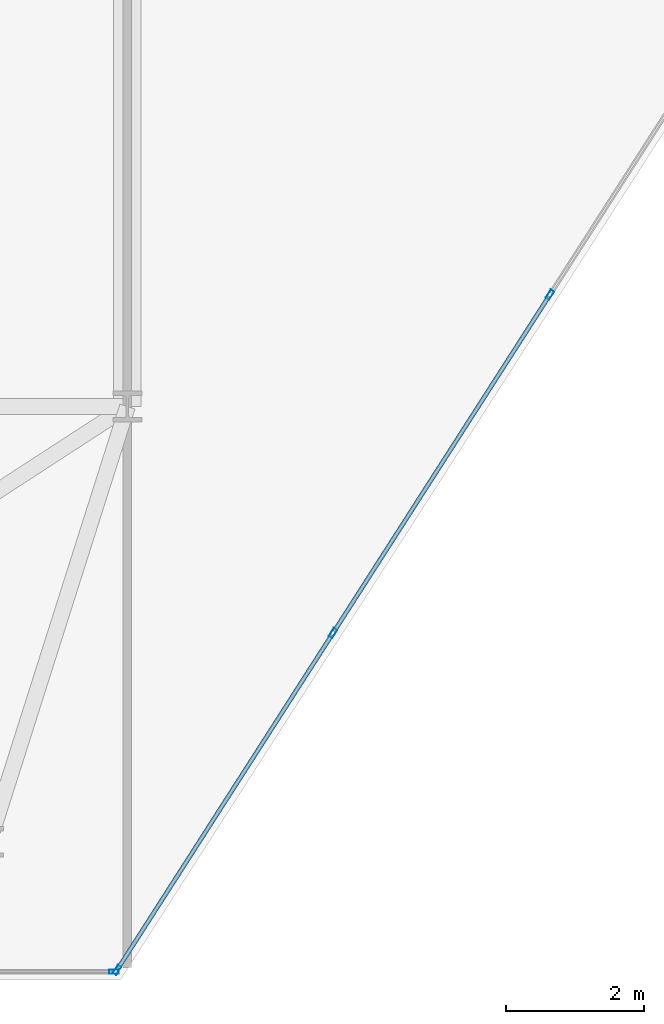
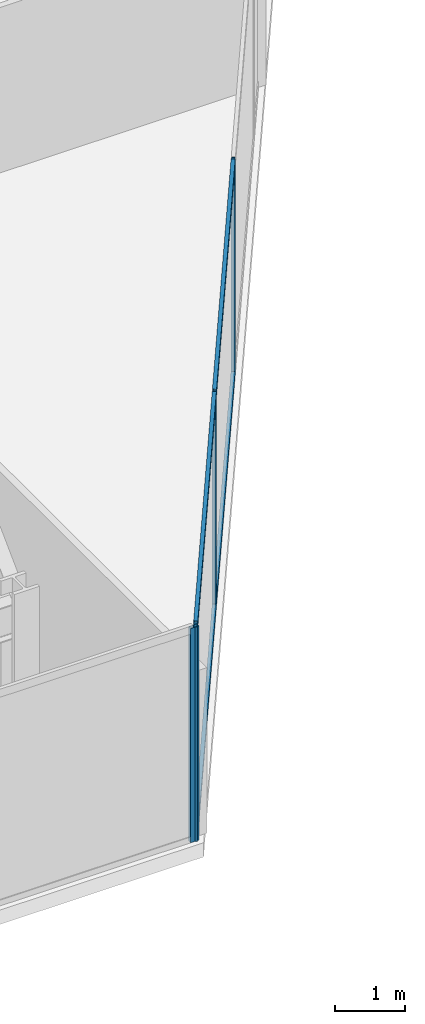
# One storey, part 7 of 26: 8 members, 2 elements without a shape of their own.
"""IFC4 building model written with IfcOpenShell, lengths in metres."""

from ifc_helpers import new_model, si_unit, direction, frame, origin, origin_2d, place, context, subcontext, project, spatial, hollow_rectangle, extrude, material, layer, layer_set, material_profile, profile_set, type_object, element, aggregate, save


model = new_model("IFC4")

# Units and contexts
model_context = context("Model", 3, precision=1e-05, world=origin(), true_north=direction((0.0, 1.0)))
body_context = subcontext(model_context, "Body", "Model", "MODEL_VIEW")
ifc_project = project(units=[si_unit("LENGTHUNIT", "METRE"), si_unit("AREAUNIT", "SQUARE_METRE"), si_unit("VOLUMEUNIT", "CUBIC_METRE"), si_unit("PLANEANGLEUNIT", "RADIAN"), si_unit("MASSUNIT", "GRAM", prefix="KILO")], contexts=[model_context])

# Site, building, storey
site_placement = place(None, origin())
site = spatial("IfcSite", under=ifc_project, at=site_placement, CompositionType="ELEMENT")
building_placement = place(site_placement, origin())
building = spatial("IfcBuilding", under=site, at=building_placement, Name="Kravanh Interchange Tower", CompositionType="ELEMENT")
storey_placement = place(building_placement, frame((0.0, 0.0, 144.0)))
storey = spatial("IfcBuildingStorey", under=building, at=storey_placement, Name="L34", CompositionType="ELEMENT", Elevation=144.0)

# Curtain wall, members
ifc_material_1 = material(Name="Anodised Bronze Aluminium", Category="aluminium")
ifc_layer = layer(ifc_material_1, 0.179931640625)
ifc_layer_set = layer_set([ifc_layer], Name="Unitised Curtain Wall System CW-Z2 Mid Office")
curtain_wall_type = type_object("IfcCurtainWallType", Name="Unitised Curtain Wall System CW-Z2 Mid Office", PredefinedType="NOTDEFINED", material=ifc_layer_set)
curtain_wall_1_placement = place(storey_placement, origin())
curtain_wall_1 = element("IfcCurtainWall", 1, at=curtain_wall_1_placement, inside=storey, type_object=curtain_wall_type, Name="L34 Unitised Curtain Wall CW-L34-05", PredefinedType="NOTDEFINED")
ifc_material_2 = material(Name="Anodised Bronze Aluminium", Category="aluminium")
ifc_material_profile_1 = material_profile(ifc_material_2, hollow_rectangle(XDim=0.06005859375, YDim=0.139892578125, WallThickness=0.00390625, at=origin_2d()), Name="ALU60X140X4")
ifc_profile_set_1 = profile_set([ifc_material_profile_1], Name="Anodised Bronze Aluminium")
member_type_1 = type_object("IfcMemberType", Name="Curtain Wall Mullion ALU60X140X4 Bronze", PredefinedType="MULLION", material=ifc_profile_set_1)
member_1_placement = place(storey_placement, frame((33.317138671875, 16.12109375, 0.0), z_axis=(0.0, 0.0, 1.0), x_axis=(0.841879939476, -0.539664865919, 0.0)))
member_1 = element("IfcMember", 2, at=member_1_placement, type_object=member_type_1, Name="CW-Z2 mullion 3", PredefinedType="MULLION", context=body_context, shape_type="SweptSolid", body=[
    extrude(hollow_rectangle(XDim=0.06005859375, YDim=0.139892578125, WallThickness=0.00390625, at=origin_2d()), origin(), (0.0, 0.0, 1.0), 3.75),
])
member_2_placement = place(storey_placement, frame((30.17578125, 11.220703125, 0.0), z_axis=(0.0, 0.0, 1.0), x_axis=(0.841879939476, -0.539664865919, 0.0)))
member_2 = element("IfcMember", 3, at=member_2_placement, type_object=member_type_1, Name="CW-Z2 mullion 4", PredefinedType="MULLION", context=body_context, shape_type="SweptSolid", body=[
    extrude(hollow_rectangle(XDim=0.06005859375, YDim=0.139892578125, WallThickness=0.00390625, at=origin_2d()), origin(), (0.0, 0.0, 1.0), 3.75),
])
member_3_placement = place(storey_placement, frame((27.050537109375, 6.34521484375, 0.0), z_axis=(0.0, 0.0, 1.0), x_axis=(0.841879939476, -0.539664865919, 0.0)))
member_3 = element("IfcMember", 4, at=member_3_placement, type_object=member_type_1, Name="CW-Z2 mullion 5", PredefinedType="MULLION", context=body_context, shape_type="SweptSolid", body=[
    extrude(hollow_rectangle(XDim=0.06005859375, YDim=0.139892578125, WallThickness=0.00390625, at=origin_2d()), origin(), (0.0, 0.0, 1.0), 3.75),
])

# Curtain wall, member
curtain_wall_2_placement = place(storey_placement, origin())
curtain_wall_2 = element("IfcCurtainWall", 5, at=curtain_wall_2_placement, inside=storey, type_object=curtain_wall_type, Name="L34 Unitised Curtain Wall CW-L34-06", PredefinedType="NOTDEFINED")
member_4_placement = place(storey_placement, frame((27.00439453125, 6.320068359375, 0.0), z_axis=(0.0, 0.0, 1.0), x_axis=(0.0, -1.0, 0.0)))
member_4 = element("IfcMember", 6, at=member_4_placement, type_object=member_type_1, Name="CW-Z2 mullion 1", PredefinedType="MULLION", context=body_context, shape_type="SweptSolid", body=[
    extrude(hollow_rectangle(XDim=0.06005859375, YDim=0.139892578125, WallThickness=0.00390625, at=origin_2d()), origin(), (0.0, 0.0, 1.0), 3.75),
])
aggregate(curtain_wall_2, [member_4])

# Member
ifc_material_3 = material(Name="Anodised Bronze Aluminium", Category="aluminium")
ifc_material_profile_2 = material_profile(ifc_material_3, hollow_rectangle(XDim=0.06005859375, YDim=0.139892578125, WallThickness=0.00390625, at=origin_2d()), Name="ALU60X140X4")
ifc_profile_set_2 = profile_set([ifc_material_profile_2], Name="Anodised Bronze Aluminium")
member_type_2 = type_object("IfcMemberType", Name="Curtain Wall Transom ALU60X140X4 Bronze", PredefinedType="USERDEFINED", material=ifc_profile_set_2)
member_5_placement = place(storey_placement, frame((33.301025390625, 16.095947265625, 0.030029296875), z_axis=(-0.539677666788, -0.84187173368, 0.0), x_axis=(0.84187173368, -0.539677666788, 0.0)))
member_5 = element("IfcMember", 7, at=member_5_placement, type_object=member_type_2, Name="CW-Z2 transom 3.1", ObjectType="TRANSOM", PredefinedType="USERDEFINED", context=body_context, shape_type="SweptSolid", body=[
    extrude(hollow_rectangle(XDim=0.06005859375, YDim=0.139892578125, WallThickness=0.00390625, at=origin_2d()), origin(), (0.0, 0.0, 1.0), 5.760986328125),
])

member_6_placement = place(storey_placement, frame((33.301025390625, 16.095947265625, 3.719970703125), z_axis=(-0.539677666788, -0.84187173368, 0.0), x_axis=(0.84187173368, -0.539677666788, 0.0)))
member_6 = element("IfcMember", 8, at=member_6_placement, type_object=member_type_2, Name="CW-Z2 transom 3.2", ObjectType="TRANSOM", PredefinedType="USERDEFINED", context=body_context, shape_type="SweptSolid", body=[
    extrude(hollow_rectangle(XDim=0.06005859375, YDim=0.139892578125, WallThickness=0.00390625, at=origin_2d()), origin(), (0.0, 0.0, 1.0), 5.760986328125),
])

member_7_placement = place(storey_placement, frame((30.15966796875, 11.1953125, 0.030029296875), z_axis=(-0.53966766312, -0.841878146398, 0.0), x_axis=(0.841878146398, -0.53966766312, 0.0)))
member_7 = element("IfcMember", 9, at=member_7_placement, type_object=member_type_2, Name="CW-Z2 transom 4.1", ObjectType="TRANSOM", PredefinedType="USERDEFINED", context=body_context, shape_type="SweptSolid", body=[
    extrude(hollow_rectangle(XDim=0.06005859375, YDim=0.139892578125, WallThickness=0.00390625, at=origin_2d()), origin(), (0.0, 0.0, 1.0), 5.73095703125),
])

member_8_placement = place(storey_placement, frame((30.15966796875, 11.1953125, 3.719970703125), z_axis=(-0.53966766312, -0.841878146398, 0.0), x_axis=(0.841878146398, -0.53966766312, 0.0)))
member_8 = element("IfcMember", 10, at=member_8_placement, type_object=member_type_2, Name="CW-Z2 transom 4.2", ObjectType="TRANSOM", PredefinedType="USERDEFINED", context=body_context, shape_type="SweptSolid", body=[
    extrude(hollow_rectangle(XDim=0.06005859375, YDim=0.139892578125, WallThickness=0.00390625, at=origin_2d()), origin(), (0.0, 0.0, 1.0), 5.73095703125),
])

aggregate(curtain_wall_1, [member_1, member_2, member_3, member_5, member_6, member_7, member_8])

save(model, "model.ifc")
